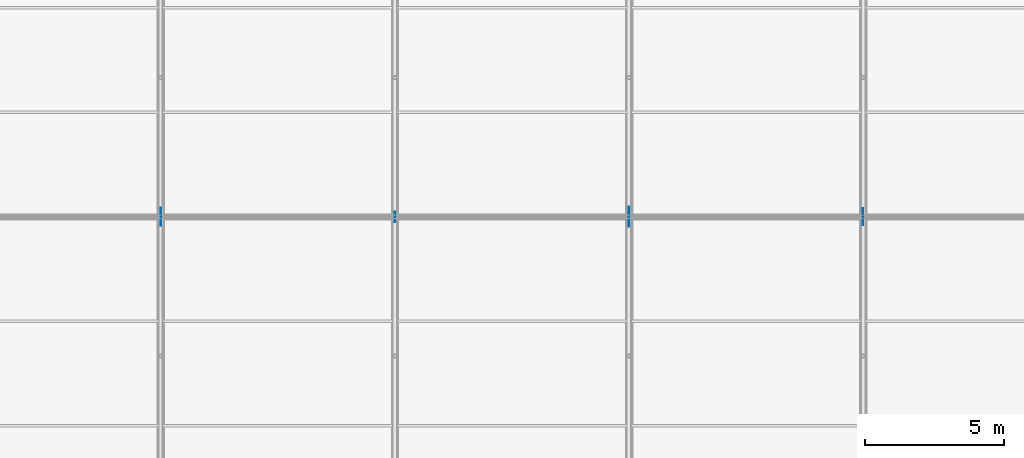
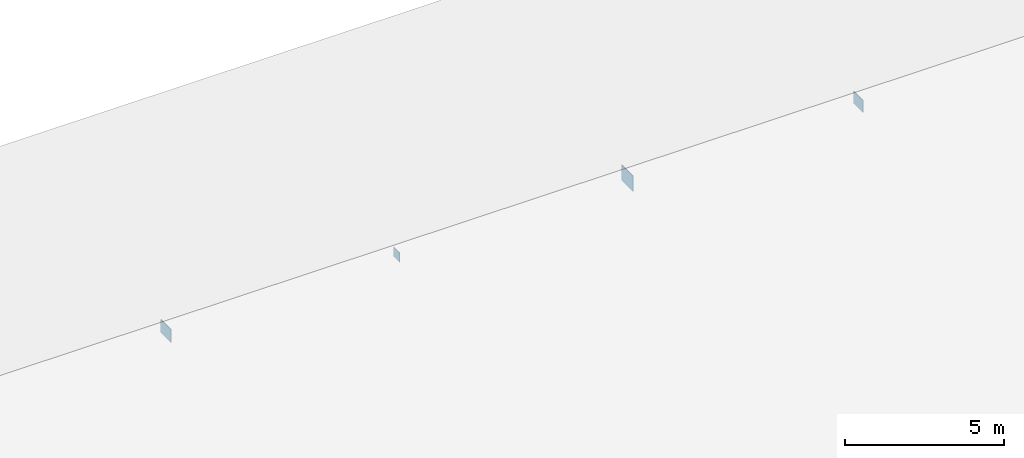
# One storey, part 182 of 194: 4 plates.
"""IFC4 building model written with IfcOpenShell, lengths in metres."""

import ifcopenshell
import ifcopenshell.guid

model = None  # the IFC model being written
_history = None  # IfcOwnerHistory: only IFC2X3 demands one
_inside = {}  # id of a spatial element -> (the spatial element, [elements in it])
_under = {}  # id of a project, library or spatial element -> (it, [spatial elements below it])
_declared = {}  # id of a project -> (the project, [libraries it declares])
_typed = {}  # id of a type object -> (the type object, [elements of that type])
_made_of = {}  # id of a material, layer set ... -> (it, [elements and type objects made of it])


def new_model(schema):
    """Start an empty IFC model of exactly this schema.

    Asked for "IFC4X3", IfcOpenShell would pick the latest addendum, in which some entities
    have other attributes; the version numbers below select the first issue.
    IFC2X3 requires an IfcOwnerHistory on every rooted entity: one is made here for all.
    """
    global model, _history
    if schema == "IFC4X3":
        model = ifcopenshell.file(schema_version=(4, 3, 0, 0))
    else:
        model = ifcopenshell.file(schema=schema)
    _inside.clear()
    _under.clear()
    _declared.clear()
    _typed.clear()
    _made_of.clear()
    _history = None
    if model.schema == "IFC2X3":
        org = make("IfcOrganization", Name="unknown")
        user = make(
            "IfcPersonAndOrganization",
            ThePerson=make("IfcPerson", FamilyName="unknown"),
            TheOrganization=org,
        )
        app = make(
            "IfcApplication",
            ApplicationDeveloper=org,
            Version="unknown",
            ApplicationFullName="unknown",
            ApplicationIdentifier="unknown",
        )
        _history = make(
            "IfcOwnerHistory",
            OwningUser=user,
            OwningApplication=app,
            ChangeAction="ADDED",
            CreationDate=0,
        )
    return model


def make(cls, **values):
    """One entity of the class cls with the attributes given. An attribute that is None is left unset."""
    return model.create_entity(
        cls, **{name: value for name, value in values.items() if value is not None}
    )


def rooted(cls, **values):
    """An entity with a GlobalId (a new one), such as an element, a storey or a relation."""
    return make(cls, GlobalId=ifcopenshell.guid.new(), OwnerHistory=_history, **values)


def si_unit(unit_type, name, prefix=None):
    """IfcSIUnit, for example si_unit("LENGTHUNIT", "METRE", prefix="MILLI")."""
    return make("IfcSIUnit", UnitType=unit_type, Prefix=prefix, Name=name)


def assignment(units):
    """IfcUnitAssignment: the units of a project."""
    return None if units is None else make("IfcUnitAssignment", Units=units)


def point(xyz):
    """IfcCartesianPoint."""
    return None if xyz is None else make("IfcCartesianPoint", Coordinates=xyz)


def direction(xyz):
    """IfcDirection."""
    return None if xyz is None else make("IfcDirection", DirectionRatios=xyz)


def frame(location, z_axis=None, x_axis=None):
    """IfcAxis2Placement3D, a coordinate frame: its origin and axes. An axis left out is left unset."""
    return make(
        "IfcAxis2Placement3D",
        Location=point(location),
        Axis=direction(z_axis),
        RefDirection=direction(x_axis),
    )


def frame_2d(location, x_axis=None):
    """IfcAxis2Placement2D, a coordinate frame in the plane: its origin and x axis."""
    return make(
        "IfcAxis2Placement2D", Location=point(location), RefDirection=direction(x_axis)
    )


def origin():
    """The frame at (0, 0, 0) with its axes left unset."""
    return frame((0.0, 0.0, 0.0))


def origin_2d():
    """The frame at (0, 0) in the plane with its x axis left unset."""
    return frame_2d((0.0, 0.0))


def place(relative_to, where):
    """IfcLocalPlacement: puts the frame where relative to a parent placement (None: the world)."""
    return make(
        "IfcLocalPlacement", PlacementRelTo=relative_to, RelativePlacement=where
    )


def context(
    kind, dimensions, precision=None, world=None, true_north=None, identifier=None
):
    """IfcGeometricRepresentationContext, for example the 3D "Model" context."""
    return make(
        "IfcGeometricRepresentationContext",
        ContextIdentifier=identifier,
        ContextType=kind,
        CoordinateSpaceDimension=dimensions,
        Precision=precision,
        WorldCoordinateSystem=world,
        TrueNorth=true_north,
    )


def subcontext(parent, identifier, kind, view, scale=None):
    """IfcGeometricRepresentationSubContext, for example "Body" below "Model"."""
    return make(
        "IfcGeometricRepresentationSubContext",
        ContextIdentifier=identifier,
        ContextType=kind,
        ParentContext=parent,
        TargetScale=scale,
        TargetView=view,
    )


def project(units=None, contexts=None):
    """IfcProject with its units and contexts."""
    return rooted(
        "IfcProject",
        Name="project",
        RepresentationContexts=contexts,
        UnitsInContext=assignment(units),
    )


def spatial(cls, under=None, at=None, **own):
    """A site, building, storey or space (cls), placed at a placement, below another one or the project."""
    s = rooted(cls, ObjectPlacement=at, **own)
    if under is not None:
        _under.setdefault(under.id(), (under, []))[1].append(s)
    return s


def profile(cls, at=None, kind="AREA", **sizes):
    """A parametric profile (cls). Its sizes go by their IFC names, for example OverallWidth=200.0."""
    return make(cls, ProfileType=kind, Position=at, **sizes)


def rectangle(**sizes):
    """IfcRectangleProfileDef."""
    return profile("IfcRectangleProfileDef", **sizes)


def extrude(swept, where, along, depth):
    """IfcExtrudedAreaSolid: the profile swept, set in the frame where, extruded along a direction by depth."""
    return make(
        "IfcExtrudedAreaSolid",
        SweptArea=swept,
        Position=where,
        ExtrudedDirection=direction(along),
        Depth=depth,
    )


def shape(context_of_items, identifier, shape_type, items):
    """IfcShapeRepresentation: the items that make up one representation, for example the "Body"."""
    return make(
        "IfcShapeRepresentation",
        ContextOfItems=context_of_items,
        RepresentationIdentifier=identifier,
        RepresentationType=shape_type,
        Items=items,
    )


def material(Name=None, Category=None):
    """IfcMaterial."""
    return make("IfcMaterial", Name=Name, Category=Category)


def layer(
    of_material, thickness, ventilated=None, Name=None, Category=None, Priority=None
):
    """IfcMaterialLayer: one layer of a wall or slab, of a material (None: an air gap)."""
    return make(
        "IfcMaterialLayer",
        Material=of_material,
        LayerThickness=thickness,
        IsVentilated=ventilated,
        Name=Name,
        Category=Category,
        Priority=Priority,
    )


def layer_set(layers, Name=None):
    """IfcMaterialLayerSet."""
    return make("IfcMaterialLayerSet", MaterialLayers=layers, LayerSetName=Name)


def made_of(thing, what):
    """Note that an element or type object is made of a material, layer set ...; save() writes the relation."""
    if what is not None:
        _made_of.setdefault(what.id(), (what, []))[1].append(thing)
    return thing


def type_object(cls, material=None, **own):
    """A type object (cls), such as IfcWallType, which elements share."""
    return made_of(rooted(cls, **own), material)


def element(
    cls,
    number,
    at=None,
    inside=None,
    cuts=None,
    type_object=None,
    material=None,
    context=None,
    identifier="Body",
    shape_type=None,
    held_by="IfcProductDefinitionShape",
    body=None,
    shapes=None,
    **own,
):
    """One element of the class cls, such as IfcWall. Its Tag is "e" and its number.

    at: its placement. inside: the storey or other place that contains it. cuts: it is an
    opening in that element (IfcRelVoidsElement). A single representation is given by context,
    identifier, shape_type and body (its items); several are given by shapes. held_by: the class
    of the entity that holds the representations. save() writes the other relations.
    """
    e = rooted(cls, Tag="e%d" % number, ObjectPlacement=at, **own)
    if body is not None:
        shapes = [shape(context, identifier, shape_type, body)]
    if shapes is not None:
        e.Representation = make(held_by, Representations=shapes)
    if inside is not None:
        _inside.setdefault(inside.id(), (inside, []))[1].append(e)
    if cuts is not None:
        rooted(
            "IfcRelVoidsElement", RelatingBuildingElement=cuts, RelatedOpeningElement=e
        )
    if type_object is not None:
        _typed.setdefault(type_object.id(), (type_object, []))[1].append(e)
    return made_of(e, material)


def aggregate(whole, parts):
    """IfcRelAggregates: a whole, such as a stair, and the parts it consists of."""
    return rooted("IfcRelAggregates", RelatingObject=whole, RelatedObjects=parts)


def save(model, path):
    """Write the relations noted so far, then the file.

    IfcRelAggregates (storeys below a building ...), IfcRelContainedInSpatialStructure (elements
    in a storey), IfcRelDefinesByType, IfcRelAssociatesMaterial and IfcRelDeclares: one each for
    every whole, place, type object, material and project.
    """
    for whole, parts in _under.values():
        aggregate(whole, parts)
    for where, things in _inside.values():
        rooted(
            "IfcRelContainedInSpatialStructure",
            RelatedElements=things,
            RelatingStructure=where,
        )
    for kind, things in _typed.values():
        rooted("IfcRelDefinesByType", RelatedObjects=things, RelatingType=kind)
    for what, things in _made_of.values():
        rooted("IfcRelAssociatesMaterial", RelatedObjects=things, RelatingMaterial=what)
    for by, libraries in _declared.values():
        rooted("IfcRelDeclares", RelatingContext=by, RelatedDefinitions=libraries)
    model.write(path)


model = new_model("IFC4")

# Units and contexts
model_context = context("Model", 3, precision=1e-05, world=origin(), true_north=direction((0.0, 1.0)))
body_context = subcontext(model_context, "Body", "Model", "MODEL_VIEW")
ifc_project = project(units=[si_unit("LENGTHUNIT", "METRE"), si_unit("AREAUNIT", "SQUARE_METRE"), si_unit("VOLUMEUNIT", "CUBIC_METRE"), si_unit("PLANEANGLEUNIT", "RADIAN"), si_unit("MASSUNIT", "GRAM", prefix="KILO")], contexts=[model_context])

# Site, building, storey
site_placement = place(None, origin())
site = spatial("IfcSite", under=ifc_project, at=site_placement, CompositionType="ELEMENT")
building_placement = place(site_placement, origin())
building = spatial("IfcBuilding", under=site, at=building_placement, Name="Kazenagashi Tramway Depot", CompositionType="ELEMENT")
storey_placement = place(building_placement, frame((0.0, 0.0, 23.7)))
storey = spatial("IfcBuildingStorey", under=building, at=storey_placement, Name="ROOF", CompositionType="ELEMENT", Elevation=23.7)

# Plates
ifc_material_1 = material(Name="Steel SN490B", Category="steel")
ifc_layer_1 = layer(ifc_material_1, 0.025)
ifc_layer_set_1 = layer_set([ifc_layer_1], Name="Steel SN490B")
plate_type_1 = type_object("IfcPlateType", Name="GP-04", PredefinedType="USERDEFINED", material=ifc_layer_set_1)
plate_1_placement = place(storey_placement, frame((128.8, 115.0, -10.85), z_axis=(0.0, 0.0, 1.0), x_axis=(0.0, 1.0, 0.0)))
element("IfcPlate", 1, at=plate_1_placement, inside=storey, type_object=plate_type_1, Name="Structural Node Plate GP-04 PLT-0042", ObjectType="GUSSET PLATE", PredefinedType="USERDEFINED", context=body_context, shape_type="SweptSolid", body=[
    extrude(rectangle(XDim=0.65, YDim=0.025, at=origin_2d()), origin(), (0.0, 0.0, 1.0), 0.5),
])
ifc_material_2 = material(Name="Weathering Steel SMA490W", Category="steel")
ifc_layer_2 = layer(ifc_material_2, 0.014)
ifc_layer_set_2 = layer_set([ifc_layer_2], Name="Weathering Steel SMA490W")
plate_type_2 = type_object("IfcPlateType", Name="GP-05", PredefinedType="USERDEFINED", material=ifc_layer_set_2)
plate_2_placement = place(storey_placement, frame((137.2, 115.0, -10.79), z_axis=(0.0, 0.0, 1.0), x_axis=(0.0, 1.0, 0.0)))
element("IfcPlate", 2, at=plate_2_placement, inside=storey, type_object=plate_type_2, Name="Structural Node Plate GP-05 PLT-0046", ObjectType="GUSSET PLATE", PredefinedType="USERDEFINED", context=body_context, shape_type="SweptSolid", body=[
    extrude(rectangle(XDim=0.38, YDim=0.014, at=origin_2d()), origin(), (0.0, 0.0, 1.0), 0.38),
])
ifc_layer_3 = layer(ifc_material_1, 0.028)
ifc_layer_set_3 = layer_set([ifc_layer_3], Name="Steel SN490B")
plate_type_3 = type_object("IfcPlateType", Name="GP-06", PredefinedType="USERDEFINED", material=ifc_layer_set_3)
plate_3_placement = place(storey_placement, frame((145.6, 115.0, -10.9), z_axis=(0.0, 0.0, 1.0), x_axis=(0.0, 1.0, 0.0)))
element("IfcPlate", 3, at=plate_3_placement, inside=storey, type_object=plate_type_3, Name="Structural Node Plate GP-06 PLT-0050", ObjectType="GUSSET PLATE", PredefinedType="USERDEFINED", context=body_context, shape_type="SweptSolid", body=[
    extrude(rectangle(XDim=0.72, YDim=0.028, at=origin_2d()), origin(), (0.0, 0.0, 1.0), 0.6),
])
ifc_layer_4 = layer(ifc_material_1, 0.022)
ifc_layer_set_4 = layer_set([ifc_layer_4], Name="Steel SN490B")
plate_type_4 = type_object("IfcPlateType", Name="GP-07", PredefinedType="USERDEFINED", material=ifc_layer_set_4)
plate_4_placement = place(storey_placement, frame((154.0, 115.0, -10.83), z_axis=(0.0, 0.0, 1.0), x_axis=(0.0, 1.0, 0.0)))
element("IfcPlate", 4, at=plate_4_placement, inside=storey, type_object=plate_type_4, Name="Structural Node Plate GP-07 PLT-0054", ObjectType="GUSSET PLATE", PredefinedType="USERDEFINED", context=body_context, shape_type="SweptSolid", body=[
    extrude(rectangle(XDim=0.6, YDim=0.022, at=origin_2d()), origin(), (0.0, 0.0, 1.0), 0.46),
])

save(model, "model.ifc")
